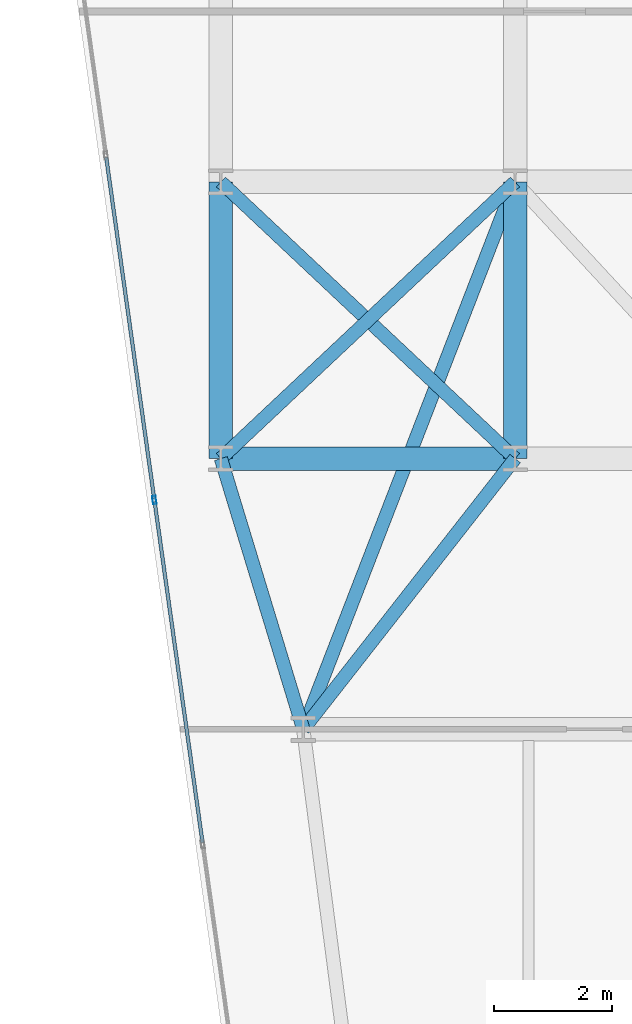
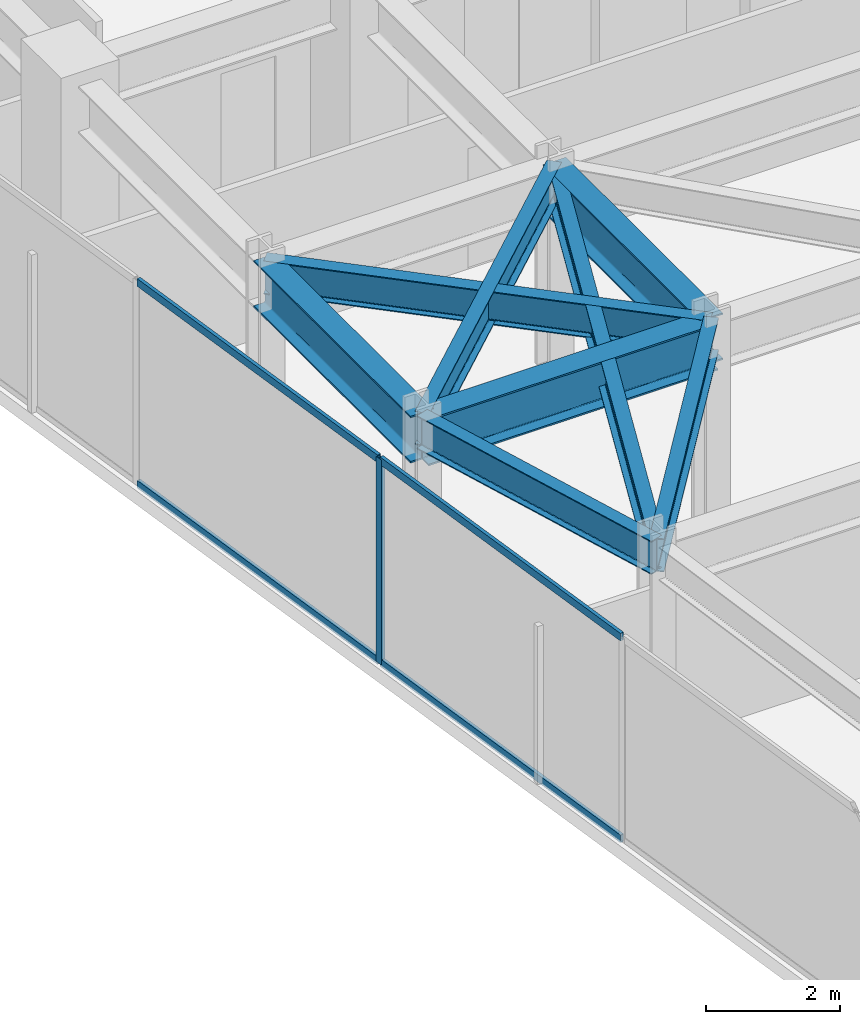
# One storey, part 9 of 26: 8 beams, 5 members, 1 element without a shape of its own.
"""IFC4 building model written with IfcOpenShell, lengths in metres."""

from ifc_helpers import new_model, si_unit, direction, frame, origin, origin_2d, place, context, subcontext, project, spatial, hollow_rectangle, i_section, extrude, material, layer, layer_set, material_profile, profile_set, type_object, element, aggregate, save


model = new_model("IFC4")

# Units and contexts
model_context = context("Model", 3, precision=1e-05, world=origin(), true_north=direction((0.0, 1.0)))
body_context = subcontext(model_context, "Body", "Model", "MODEL_VIEW")
ifc_project = project(units=[si_unit("LENGTHUNIT", "METRE"), si_unit("AREAUNIT", "SQUARE_METRE"), si_unit("VOLUMEUNIT", "CUBIC_METRE"), si_unit("PLANEANGLEUNIT", "RADIAN"), si_unit("MASSUNIT", "GRAM", prefix="KILO")], contexts=[model_context])

# Site, building, storey
site_placement = place(None, origin())
site = spatial("IfcSite", under=ifc_project, at=site_placement, CompositionType="ELEMENT")
building_placement = place(site_placement, origin())
building = spatial("IfcBuilding", under=site, at=building_placement, Name="Kravanh Interchange Tower", CompositionType="ELEMENT")
storey_placement = place(building_placement, frame((0.0, 0.0, 144.0)))
storey = spatial("IfcBuildingStorey", under=building, at=storey_placement, Name="L34", CompositionType="ELEMENT", Elevation=144.0)

# Curtain wall, members
ifc_material_1 = material(Name="Anodised Bronze Aluminium", Category="aluminium")
ifc_layer = layer(ifc_material_1, 0.179931640625)
ifc_layer_set = layer_set([ifc_layer], Name="Unitised Curtain Wall System CW-Z2 Mid Office")
curtain_wall_type = type_object("IfcCurtainWallType", Name="Unitised Curtain Wall System CW-Z2 Mid Office", PredefinedType="NOTDEFINED", material=ifc_layer_set)
curtain_wall_placement = place(storey_placement, origin())
curtain_wall = element("IfcCurtainWall", 1, at=curtain_wall_placement, inside=storey, type_object=curtain_wall_type, Name="L34 Unitised Curtain Wall CW-L34-01", PredefinedType="NOTDEFINED")
ifc_material_2 = material(Name="Anodised Bronze Aluminium", Category="aluminium")
ifc_material_profile_1 = material_profile(ifc_material_2, hollow_rectangle(XDim=0.06005859375, YDim=0.139892578125, WallThickness=0.00390625, at=origin_2d()), Name="ALU60X140X4")
ifc_profile_set_1 = profile_set([ifc_material_profile_1], Name="Anodised Bronze Aluminium")
member_type_1 = type_object("IfcMemberType", Name="Curtain Wall Mullion ALU60X140X4 Bronze", PredefinedType="MULLION", material=ifc_profile_set_1)
member_1_placement = place(storey_placement, frame((12.469970703125, 26.095458984375, 0.0), z_axis=(0.0, 0.0, 1.0), x_axis=(-0.990268103846, -0.13917285118, 0.0)))
member_1 = element("IfcMember", 2, at=member_1_placement, type_object=member_type_1, Name="CW-Z2 mullion 4", PredefinedType="MULLION", context=body_context, shape_type="SweptSolid", body=[
    extrude(hollow_rectangle(XDim=0.06005859375, YDim=0.139892578125, WallThickness=0.00390625, at=origin_2d()), origin(), (0.0, 0.0, 1.0), 3.75),
])
ifc_material_3 = material(Name="Anodised Bronze Aluminium", Category="aluminium")
ifc_material_profile_2 = material_profile(ifc_material_3, hollow_rectangle(XDim=0.06005859375, YDim=0.139892578125, WallThickness=0.00390625, at=origin_2d()), Name="ALU60X140X4")
ifc_profile_set_2 = profile_set([ifc_material_profile_2], Name="Anodised Bronze Aluminium")
member_type_2 = type_object("IfcMemberType", Name="Curtain Wall Transom ALU60X140X4 Bronze", PredefinedType="USERDEFINED", material=ifc_profile_set_2)
member_2_placement = place(storey_placement, frame((13.288330078125, 20.27294921875, 0.030029296875), z_axis=(-0.13918896503, 0.990265839062, 0.0), x_axis=(-0.990265839062, -0.13918896503, 0.0)))
member_2 = element("IfcMember", 3, at=member_2_placement, type_object=member_type_2, Name="CW-Z2 transom 3.1", ObjectType="TRANSOM", PredefinedType="USERDEFINED", context=body_context, shape_type="SweptSolid", body=[
    extrude(hollow_rectangle(XDim=0.06005859375, YDim=0.139892578125, WallThickness=0.00390625, at=origin_2d()), origin(), (0.0, 0.0, 1.0), 5.849609375),
])
member_3_placement = place(storey_placement, frame((13.288330078125, 20.27294921875, 3.719970703125), z_axis=(-0.13918896503, 0.990265839062, 0.0), x_axis=(-0.990265839062, -0.13918896503, 0.0)))
member_3 = element("IfcMember", 4, at=member_3_placement, type_object=member_type_2, Name="CW-Z2 transom 3.2", ObjectType="TRANSOM", PredefinedType="USERDEFINED", context=body_context, shape_type="SweptSolid", body=[
    extrude(hollow_rectangle(XDim=0.06005859375, YDim=0.139892578125, WallThickness=0.00390625, at=origin_2d()), origin(), (0.0, 0.0, 1.0), 5.849609375),
])
member_4_placement = place(storey_placement, frame((12.4658203125, 26.125244140625, 0.030029296875), z_axis=(-0.13918896503, 0.990265839062, 0.0), x_axis=(-0.990265839062, -0.13918896503, 0.0)))
member_4 = element("IfcMember", 5, at=member_4_placement, type_object=member_type_2, Name="CW-Z2 transom 4.1", ObjectType="TRANSOM", PredefinedType="USERDEFINED", context=body_context, shape_type="SweptSolid", body=[
    extrude(hollow_rectangle(XDim=0.06005859375, YDim=0.139892578125, WallThickness=0.00390625, at=origin_2d()), origin(), (0.0, 0.0, 1.0), 5.849609375),
])
member_5_placement = place(storey_placement, frame((12.4658203125, 26.125244140625, 3.719970703125), z_axis=(-0.13918896503, 0.990265839062, 0.0), x_axis=(-0.990265839062, -0.13918896503, 0.0)))
member_5 = element("IfcMember", 6, at=member_5_placement, type_object=member_type_2, Name="CW-Z2 transom 4.2", ObjectType="TRANSOM", PredefinedType="USERDEFINED", context=body_context, shape_type="SweptSolid", body=[
    extrude(hollow_rectangle(XDim=0.06005859375, YDim=0.139892578125, WallThickness=0.00390625, at=origin_2d()), origin(), (0.0, 0.0, 1.0), 5.849609375),
])
aggregate(curtain_wall, [member_1, member_2, member_3, member_4, member_5])

# Beams
ifc_material_4 = material(Name="Structural Steel S355", Category="steel")
ifc_material_profile_3 = material_profile(ifc_material_4, i_section(OverallWidth=0.39990234375, OverallDepth=0.85595703125, WebThickness=0.018310546875, FlangeThickness=0.029296875, FilletRadius=0.02490234375, at=origin_2d()), Name="W33X201")
ifc_profile_set_3 = profile_set([ifc_material_profile_3], Name="Structural Steel S355")
beam_type_1 = type_object("IfcBeamType", Name="Floor Beam W33X201 Structural Steel S355", PredefinedType="BEAM", material=ifc_profile_set_3)
beam_1_placement = place(storey_placement, frame((13.60009765625, 26.800048828125, 3.322021484375), z_axis=(0.0, 1.0, 0.0), x_axis=(-1.0, 0.0, 0.0)))
element("IfcBeam", 7, at=beam_1_placement, inside=storey, type_object=beam_type_1, Name="L34 Primary Floor Girder 37", PredefinedType="BEAM", context=body_context, shape_type="SweptSolid", body=[
    extrude(i_section(OverallWidth=0.39990234375, OverallDepth=0.85595703125, WebThickness=0.018310546875, FlangeThickness=0.029296875, FilletRadius=0.02490234375, at=origin_2d()), origin(), (0.0, 0.0, 1.0), 4.699951171875),
])
beam_2_placement = place(storey_placement, frame((13.60009765625, 26.800048828125, 3.322021484375), z_axis=(1.0, 0.0, 0.0), x_axis=(0.0, 1.0, 0.0)))
element("IfcBeam", 8, at=beam_2_placement, inside=storey, type_object=beam_type_1, Name="L34 Primary Floor Girder 39", PredefinedType="BEAM", context=body_context, shape_type="SweptSolid", body=[
    extrude(i_section(OverallWidth=0.39990234375, OverallDepth=0.85595703125, WebThickness=0.018310546875, FlangeThickness=0.029296875, FilletRadius=0.02490234375, at=origin_2d()), origin(), (0.0, 0.0, 1.0), 5.0),
])
beam_3_placement = place(storey_placement, frame((18.60009765625, 26.800048828125, 3.322021484375), z_axis=(0.0, 1.0, 0.0), x_axis=(-1.0, 0.0, 0.0)))
element("IfcBeam", 9, at=beam_3_placement, inside=storey, type_object=beam_type_1, Name="L34 Primary Floor Girder 41", PredefinedType="BEAM", context=body_context, shape_type="SweptSolid", body=[
    extrude(i_section(OverallWidth=0.39990234375, OverallDepth=0.85595703125, WebThickness=0.018310546875, FlangeThickness=0.029296875, FilletRadius=0.02490234375, at=origin_2d()), origin(), (0.0, 0.0, 1.0), 4.699951171875),
])
ifc_material_5 = material(Name="Structural Steel S355", Category="steel")
ifc_material_profile_4 = material_profile(ifc_material_5, i_section(OverallWidth=0.22802734375, OverallDepth=0.60791015625, WebThickness=0.01123046875, FlangeThickness=0.017333984375, FilletRadius=0.02197265625, at=origin_2d()), Name="W24X76")
ifc_profile_set_4 = profile_set([ifc_material_profile_4], Name="Structural Steel S355")
beam_type_2 = type_object("IfcBeamType", Name="Floor Spandrel W24X76 Structural Steel S355", PredefinedType="SPANDREL", material=ifc_profile_set_4)
beam_4_placement = place(storey_placement, frame((13.60009765625, 26.800048828125, 3.446044921875), z_axis=(0.291137370727, -0.956681259023, 0.0), x_axis=(0.956681259023, 0.291137370727, 0.0)))
element("IfcBeam", 10, at=beam_4_placement, inside=storey, type_object=beam_type_2, Name="L34 Perimeter Spandrel 38", PredefinedType="SPANDREL", context=body_context, shape_type="SweptSolid", body=[
    extrude(i_section(OverallWidth=0.22802734375, OverallDepth=0.60791015625, WebThickness=0.01123046875, FlangeThickness=0.017333984375, FilletRadius=0.02197265625, at=origin_2d()), origin(), (0.0, 0.0, 1.0), 4.808349609375),
])
beam_5_placement = place(storey_placement, frame((13.60009765625, 26.800048828125, 3.446044921875), z_axis=(0.728631219862, 0.684906231131, 0.0), x_axis=(-0.684906231131, 0.728631219862, 0.0)))
element("IfcBeam", 11, at=beam_5_placement, inside=storey, type_object=beam_type_2, Name="L34 Perimeter Spandrel 40", PredefinedType="SPANDREL", context=body_context, shape_type="SweptSolid", body=[
    extrude(i_section(OverallWidth=0.22802734375, OverallDepth=0.60791015625, WebThickness=0.01123046875, FlangeThickness=0.017333984375, FilletRadius=0.02197265625, at=origin_2d()), origin(), (0.0, 0.0, 1.0), 6.862060546875),
])
beam_6_placement = place(storey_placement, frame((18.60009765625, 26.800048828125, 3.446044921875), z_axis=(-0.616310515553, -0.787503237085, 0.0), x_axis=(0.787503237085, -0.616310515553, 0.0)))
element("IfcBeam", 12, at=beam_6_placement, inside=storey, type_object=beam_type_2, Name="L34 Perimeter Spandrel 42", PredefinedType="SPANDREL", context=body_context, shape_type="SweptSolid", body=[
    extrude(i_section(OverallWidth=0.22802734375, OverallDepth=0.60791015625, WebThickness=0.01123046875, FlangeThickness=0.017333984375, FilletRadius=0.02197265625, at=origin_2d()), origin(), (0.0, 0.0, 1.0), 5.84130859375),
])
beam_7_placement = place(storey_placement, frame((18.60009765625, 26.800048828125, 3.446044921875), z_axis=(-0.728631219862, 0.684906231131, 0.0), x_axis=(-0.684906231131, -0.728631219862, 0.0)))
element("IfcBeam", 13, at=beam_7_placement, inside=storey, type_object=beam_type_2, Name="L34 Perimeter Spandrel 43", PredefinedType="SPANDREL", context=body_context, shape_type="SweptSolid", body=[
    extrude(i_section(OverallWidth=0.22802734375, OverallDepth=0.60791015625, WebThickness=0.01123046875, FlangeThickness=0.017333984375, FilletRadius=0.02197265625, at=origin_2d()), origin(), (0.0, 0.0, 1.0), 6.862060546875),
])
beam_8_placement = place(storey_placement, frame((18.60009765625, 31.5, 3.446044921875), z_axis=(-0.3610009706, -0.932565439648, 0.0), x_axis=(0.932565439648, -0.3610009706, 0.0)))
element("IfcBeam", 14, at=beam_8_placement, inside=storey, type_object=beam_type_2, Name="L34 Perimeter Spandrel 72", PredefinedType="SPANDREL", context=body_context, shape_type="SweptSolid", body=[
    extrude(i_section(OverallWidth=0.22802734375, OverallDepth=0.60791015625, WebThickness=0.01123046875, FlangeThickness=0.017333984375, FilletRadius=0.02197265625, at=origin_2d()), origin(), (0.0, 0.0, 1.0), 9.97265625),
])

save(model, "model.ifc")
